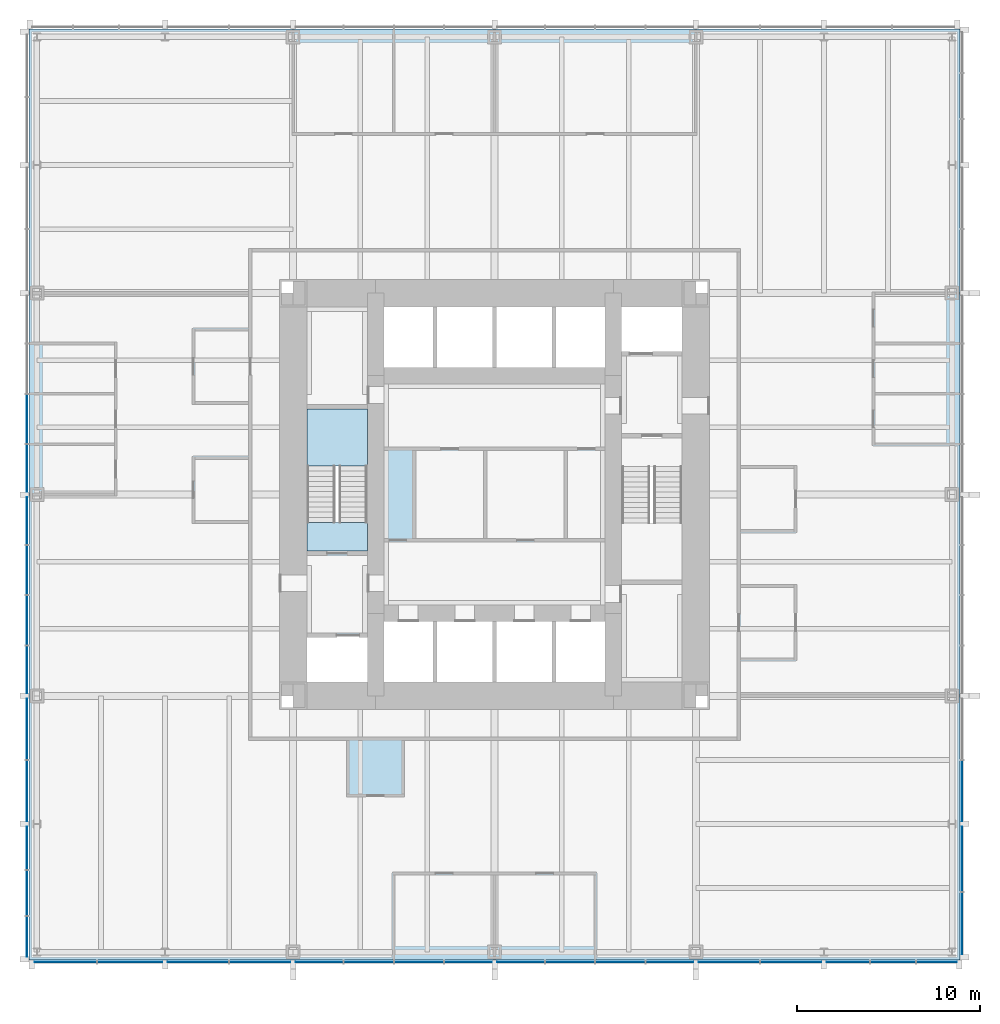
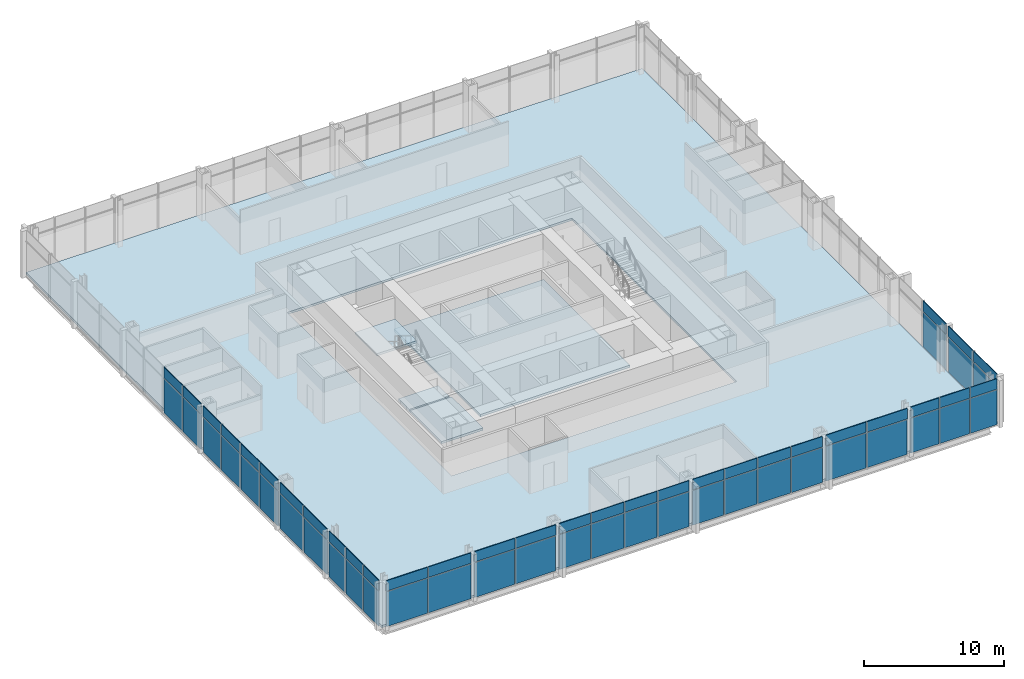
# One storey, part 7 of 12: 62 plates, 5 slabs, 4 elements without a shape of their own.
"""IFC4 building model written with IfcOpenShell, lengths in metres."""

import ifcopenshell
import ifcopenshell.guid

model = None  # the IFC model being written
_history = None  # IfcOwnerHistory: only IFC2X3 demands one
_inside = {}  # id of a spatial element -> (the spatial element, [elements in it])
_under = {}  # id of a project, library or spatial element -> (it, [spatial elements below it])
_declared = {}  # id of a project -> (the project, [libraries it declares])
_typed = {}  # id of a type object -> (the type object, [elements of that type])
_made_of = {}  # id of a material, layer set ... -> (it, [elements and type objects made of it])


def new_model(schema):
    """Start an empty IFC model of exactly this schema.

    Asked for "IFC4X3", IfcOpenShell would pick the latest addendum, in which some entities
    have other attributes; the version numbers below select the first issue.
    IFC2X3 requires an IfcOwnerHistory on every rooted entity: one is made here for all.
    """
    global model, _history
    if schema == "IFC4X3":
        model = ifcopenshell.file(schema_version=(4, 3, 0, 0))
    else:
        model = ifcopenshell.file(schema=schema)
    _inside.clear()
    _under.clear()
    _declared.clear()
    _typed.clear()
    _made_of.clear()
    _history = None
    if model.schema == "IFC2X3":
        org = make("IfcOrganization", Name="unknown")
        user = make(
            "IfcPersonAndOrganization",
            ThePerson=make("IfcPerson", FamilyName="unknown"),
            TheOrganization=org,
        )
        app = make(
            "IfcApplication",
            ApplicationDeveloper=org,
            Version="unknown",
            ApplicationFullName="unknown",
            ApplicationIdentifier="unknown",
        )
        _history = make(
            "IfcOwnerHistory",
            OwningUser=user,
            OwningApplication=app,
            ChangeAction="ADDED",
            CreationDate=0,
        )
    return model


def make(cls, **values):
    """One entity of the class cls with the attributes given. An attribute that is None is left unset."""
    return model.create_entity(
        cls, **{name: value for name, value in values.items() if value is not None}
    )


def rooted(cls, **values):
    """An entity with a GlobalId (a new one), such as an element, a storey or a relation."""
    return make(cls, GlobalId=ifcopenshell.guid.new(), OwnerHistory=_history, **values)


def si_unit(unit_type, name, prefix=None):
    """IfcSIUnit, for example si_unit("LENGTHUNIT", "METRE", prefix="MILLI")."""
    return make("IfcSIUnit", UnitType=unit_type, Prefix=prefix, Name=name)


def assignment(units):
    """IfcUnitAssignment: the units of a project."""
    return None if units is None else make("IfcUnitAssignment", Units=units)


def point(xyz):
    """IfcCartesianPoint."""
    return None if xyz is None else make("IfcCartesianPoint", Coordinates=xyz)


def direction(xyz):
    """IfcDirection."""
    return None if xyz is None else make("IfcDirection", DirectionRatios=xyz)


def frame(location, z_axis=None, x_axis=None):
    """IfcAxis2Placement3D, a coordinate frame: its origin and axes. An axis left out is left unset."""
    return make(
        "IfcAxis2Placement3D",
        Location=point(location),
        Axis=direction(z_axis),
        RefDirection=direction(x_axis),
    )


def frame_2d(location, x_axis=None):
    """IfcAxis2Placement2D, a coordinate frame in the plane: its origin and x axis."""
    return make(
        "IfcAxis2Placement2D", Location=point(location), RefDirection=direction(x_axis)
    )


def origin():
    """The frame at (0, 0, 0) with its axes left unset."""
    return frame((0.0, 0.0, 0.0))


def origin_2d():
    """The frame at (0, 0) in the plane with its x axis left unset."""
    return frame_2d((0.0, 0.0))


def place(relative_to, where):
    """IfcLocalPlacement: puts the frame where relative to a parent placement (None: the world)."""
    return make(
        "IfcLocalPlacement", PlacementRelTo=relative_to, RelativePlacement=where
    )


def context(
    kind, dimensions, precision=None, world=None, true_north=None, identifier=None
):
    """IfcGeometricRepresentationContext, for example the 3D "Model" context."""
    return make(
        "IfcGeometricRepresentationContext",
        ContextIdentifier=identifier,
        ContextType=kind,
        CoordinateSpaceDimension=dimensions,
        Precision=precision,
        WorldCoordinateSystem=world,
        TrueNorth=true_north,
    )


def subcontext(parent, identifier, kind, view, scale=None):
    """IfcGeometricRepresentationSubContext, for example "Body" below "Model"."""
    return make(
        "IfcGeometricRepresentationSubContext",
        ContextIdentifier=identifier,
        ContextType=kind,
        ParentContext=parent,
        TargetScale=scale,
        TargetView=view,
    )


def project(units=None, contexts=None):
    """IfcProject with its units and contexts."""
    return rooted(
        "IfcProject",
        Name="project",
        RepresentationContexts=contexts,
        UnitsInContext=assignment(units),
    )


def spatial(cls, under=None, at=None, **own):
    """A site, building, storey or space (cls), placed at a placement, below another one or the project."""
    s = rooted(cls, ObjectPlacement=at, **own)
    if under is not None:
        _under.setdefault(under.id(), (under, []))[1].append(s)
    return s


def polyline(points):
    """IfcPolyline through the points."""
    return make("IfcPolyline", Points=[point(p) for p in points])


def profile(cls, at=None, kind="AREA", **sizes):
    """A parametric profile (cls). Its sizes go by their IFC names, for example OverallWidth=200.0."""
    return make(cls, ProfileType=kind, Position=at, **sizes)


def rectangle(**sizes):
    """IfcRectangleProfileDef."""
    return profile("IfcRectangleProfileDef", **sizes)


def outline(outer, holes=None, kind="AREA"):
    """IfcArbitraryClosedProfileDef: a profile drawn as a closed curve; with holes, ...WithVoids."""
    if holes is None:
        return make("IfcArbitraryClosedProfileDef", ProfileType=kind, OuterCurve=outer)
    return make(
        "IfcArbitraryProfileDefWithVoids",
        ProfileType=kind,
        OuterCurve=outer,
        InnerCurves=holes,
    )


def extrude(swept, where, along, depth):
    """IfcExtrudedAreaSolid: the profile swept, set in the frame where, extruded along a direction by depth."""
    return make(
        "IfcExtrudedAreaSolid",
        SweptArea=swept,
        Position=where,
        ExtrudedDirection=direction(along),
        Depth=depth,
    )


def shape(context_of_items, identifier, shape_type, items):
    """IfcShapeRepresentation: the items that make up one representation, for example the "Body"."""
    return make(
        "IfcShapeRepresentation",
        ContextOfItems=context_of_items,
        RepresentationIdentifier=identifier,
        RepresentationType=shape_type,
        Items=items,
    )


def material(Name=None, Category=None):
    """IfcMaterial."""
    return make("IfcMaterial", Name=Name, Category=Category)


def layer(
    of_material, thickness, ventilated=None, Name=None, Category=None, Priority=None
):
    """IfcMaterialLayer: one layer of a wall or slab, of a material (None: an air gap)."""
    return make(
        "IfcMaterialLayer",
        Material=of_material,
        LayerThickness=thickness,
        IsVentilated=ventilated,
        Name=Name,
        Category=Category,
        Priority=Priority,
    )


def layer_set(layers, Name=None):
    """IfcMaterialLayerSet."""
    return make("IfcMaterialLayerSet", MaterialLayers=layers, LayerSetName=Name)


def made_of(thing, what):
    """Note that an element or type object is made of a material, layer set ...; save() writes the relation."""
    if what is not None:
        _made_of.setdefault(what.id(), (what, []))[1].append(thing)
    return thing


def type_object(cls, material=None, **own):
    """A type object (cls), such as IfcWallType, which elements share."""
    return made_of(rooted(cls, **own), material)


def element(
    cls,
    number,
    at=None,
    inside=None,
    cuts=None,
    type_object=None,
    material=None,
    context=None,
    identifier="Body",
    shape_type=None,
    held_by="IfcProductDefinitionShape",
    body=None,
    shapes=None,
    **own,
):
    """One element of the class cls, such as IfcWall. Its Tag is "e" and its number.

    at: its placement. inside: the storey or other place that contains it. cuts: it is an
    opening in that element (IfcRelVoidsElement). A single representation is given by context,
    identifier, shape_type and body (its items); several are given by shapes. held_by: the class
    of the entity that holds the representations. save() writes the other relations.
    """
    e = rooted(cls, Tag="e%d" % number, ObjectPlacement=at, **own)
    if body is not None:
        shapes = [shape(context, identifier, shape_type, body)]
    if shapes is not None:
        e.Representation = make(held_by, Representations=shapes)
    if inside is not None:
        _inside.setdefault(inside.id(), (inside, []))[1].append(e)
    if cuts is not None:
        rooted(
            "IfcRelVoidsElement", RelatingBuildingElement=cuts, RelatedOpeningElement=e
        )
    if type_object is not None:
        _typed.setdefault(type_object.id(), (type_object, []))[1].append(e)
    return made_of(e, material)


def aggregate(whole, parts):
    """IfcRelAggregates: a whole, such as a stair, and the parts it consists of."""
    return rooted("IfcRelAggregates", RelatingObject=whole, RelatedObjects=parts)


def save(model, path):
    """Write the relations noted so far, then the file.

    IfcRelAggregates (storeys below a building ...), IfcRelContainedInSpatialStructure (elements
    in a storey), IfcRelDefinesByType, IfcRelAssociatesMaterial and IfcRelDeclares: one each for
    every whole, place, type object, material and project.
    """
    for whole, parts in _under.values():
        aggregate(whole, parts)
    for where, things in _inside.values():
        rooted(
            "IfcRelContainedInSpatialStructure",
            RelatedElements=things,
            RelatingStructure=where,
        )
    for kind, things in _typed.values():
        rooted("IfcRelDefinesByType", RelatedObjects=things, RelatingType=kind)
    for what, things in _made_of.values():
        rooted("IfcRelAssociatesMaterial", RelatedObjects=things, RelatingMaterial=what)
    for by, libraries in _declared.values():
        rooted("IfcRelDeclares", RelatingContext=by, RelatedDefinitions=libraries)
    model.write(path)


model = new_model("IFC4")

# Units and contexts
model_context = context("Model", 3, precision=1e-05, world=origin(), true_north=direction((0.0, 1.0)))
body_context = subcontext(model_context, "Body", "Model", "MODEL_VIEW")
ifc_project = project(units=[si_unit("LENGTHUNIT", "METRE"), si_unit("AREAUNIT", "SQUARE_METRE"), si_unit("VOLUMEUNIT", "CUBIC_METRE"), si_unit("PLANEANGLEUNIT", "RADIAN"), si_unit("MASSUNIT", "GRAM", prefix="KILO")], contexts=[model_context])

# Site, building, storey
site_placement = place(None, origin())
site = spatial("IfcSite", under=ifc_project, at=site_placement, CompositionType="ELEMENT")
building_placement = place(site_placement, origin())
building = spatial("IfcBuilding", under=site, at=building_placement, Name="Trevanion Tower", CompositionType="ELEMENT")
storey_placement = place(building_placement, frame((0.0, 0.0, 61.10009765625)))
storey = spatial("IfcBuildingStorey", under=building, at=storey_placement, Name="L14", CompositionType="ELEMENT", Elevation=61.10009765625)

# Curtain wall, plates
ifc_material_1 = material(Name="Aluminium and glass", Category="aluminium")
curtain_wall_type = type_object("IfcCurtainWallType", Name="CW1 curtain wall", PredefinedType="USERDEFINED", material=ifc_material_1)
curtain_wall_1_placement = place(storey_placement, origin())
curtain_wall_1 = element("IfcCurtainWall", 1, at=curtain_wall_1_placement, inside=storey, type_object=curtain_wall_type, Name="CW1 L14 0", ObjectType="UNITISED CURTAIN WALL", PredefinedType="USERDEFINED")
ifc_material_2 = material(Name="Aluminium spandrel panel", Category="aluminium")
ifc_layer_1 = layer(ifc_material_2, 0.06005859375)
ifc_layer_set_1 = layer_set([ifc_layer_1], Name="CW1 spandrel panel")
plate_type_1 = type_object("IfcPlateType", Name="CW1 spandrel panel", PredefinedType="CURTAIN_PANEL", material=ifc_layer_set_1)
plate_1_placement = place(storey_placement, frame((25.550048828125, -23.433837890625, 2.997314453125), z_axis=(0.0, 0.0, 1.0), x_axis=(0.0, 1.0, 0.0)))
plate_1 = element("IfcPlate", 2, at=plate_1_placement, type_object=plate_type_1, Name="CW1 panel 1.2", PredefinedType="CURTAIN_PANEL", context=body_context, shape_type="SweptSolid", body=[
    extrude(rectangle(XDim=3.37255859375, YDim=0.06005859375, at=origin_2d()), origin(), (0.0, 0.0, 1.0), 0.91259765625),
])
plate_2_placement = place(storey_placement, frame((25.550048828125, -19.911376953125, 2.997314453125), z_axis=(0.0, 0.0, 1.0), x_axis=(0.0, 1.0, 0.0)))
plate_2 = element("IfcPlate", 3, at=plate_2_placement, type_object=plate_type_1, Name="CW1 panel 2.2", PredefinedType="CURTAIN_PANEL", context=body_context, shape_type="SweptSolid", body=[
    extrude(rectangle(XDim=3.5224609375, YDim=0.06005859375, at=origin_2d()), origin(), (0.0, 0.0, 1.0), 0.91259765625),
])
plate_3_placement = place(storey_placement, frame((25.550048828125, -16.19384765625, 2.997314453125), z_axis=(0.0, 0.0, 1.0), x_axis=(0.0, 1.0, 0.0)))
plate_3 = element("IfcPlate", 4, at=plate_3_placement, type_object=plate_type_1, Name="CW1 panel 3.2", PredefinedType="CURTAIN_PANEL", context=body_context, shape_type="SweptSolid", body=[
    extrude(rectangle(XDim=3.3125, YDim=0.06005859375, at=origin_2d()), origin(), (0.0, 0.0, 1.0), 0.91259765625),
])

curtain_wall_2_placement = place(storey_placement, origin())
curtain_wall_2 = element("IfcCurtainWall", 5, at=curtain_wall_2_placement, inside=storey, type_object=curtain_wall_type, Name="CW1 L14 2", ObjectType="UNITISED CURTAIN WALL", PredefinedType="USERDEFINED")
plate_4_placement = place(storey_placement, frame((-25.550048828125, 4.125, 2.997314453125), z_axis=(0.0, 0.0, 1.0), x_axis=(0.0, -1.0, 0.0)))
plate_4 = element("IfcPlate", 6, at=plate_4_placement, type_object=plate_type_1, Name="CW1 panel 7.2", PredefinedType="CURTAIN_PANEL", context=body_context, shape_type="SweptSolid", body=[
    extrude(rectangle(XDim=2.675048828125, YDim=0.06005859375, at=origin_2d()), origin(), (0.0, 0.0, 1.0), 0.91259765625),
])
plate_5_placement = place(storey_placement, frame((-25.550048828125, 1.43115234375, 2.997314453125), z_axis=(0.0, 0.0, 1.0), x_axis=(0.0, -1.0, 0.0)))
plate_5 = element("IfcPlate", 7, at=plate_5_placement, type_object=plate_type_1, Name="CW1 panel 8.2", PredefinedType="CURTAIN_PANEL", context=body_context, shape_type="SweptSolid", body=[
    extrude(rectangle(XDim=2.5625, YDim=0.06005859375, at=origin_2d()), origin(), (0.0, 0.0, 1.0), 0.91259765625),
])
plate_6_placement = place(storey_placement, frame((-25.550048828125, -1.43115234375, 2.997314453125), z_axis=(0.0, 0.0, 1.0), x_axis=(0.0, -1.0, 0.0)))
plate_6 = element("IfcPlate", 8, at=plate_6_placement, type_object=plate_type_1, Name="CW1 panel 9.2", PredefinedType="CURTAIN_PANEL", context=body_context, shape_type="SweptSolid", body=[
    extrude(rectangle(XDim=2.5625, YDim=0.06005859375, at=origin_2d()), origin(), (0.0, 0.0, 1.0), 0.91259765625),
])
plate_7_placement = place(storey_placement, frame((-25.550048828125, -4.125, 2.997314453125), z_axis=(0.0, 0.0, 1.0), x_axis=(0.0, -1.0, 0.0)))
plate_7 = element("IfcPlate", 9, at=plate_7_placement, type_object=plate_type_1, Name="CW1 panel 10.2", PredefinedType="CURTAIN_PANEL", context=body_context, shape_type="SweptSolid", body=[
    extrude(rectangle(XDim=2.675048828125, YDim=0.06005859375, at=origin_2d()), origin(), (0.0, 0.0, 1.0), 0.91259765625),
])
plate_8_placement = place(storey_placement, frame((-25.550048828125, -6.875, 2.997314453125), z_axis=(0.0, 0.0, 1.0), x_axis=(0.0, -1.0, 0.0)))
plate_8 = element("IfcPlate", 10, at=plate_8_placement, type_object=plate_type_1, Name="CW1 panel 11.2", PredefinedType="CURTAIN_PANEL", context=body_context, shape_type="SweptSolid", body=[
    extrude(rectangle(XDim=2.675048828125, YDim=0.06005859375, at=origin_2d()), origin(), (0.0, 0.0, 1.0), 0.91259765625),
])
plate_9_placement = place(storey_placement, frame((-25.550048828125, -9.56884765625, 2.997314453125), z_axis=(0.0, 0.0, 1.0), x_axis=(0.0, -1.0, 0.0)))
plate_9 = element("IfcPlate", 11, at=plate_9_placement, type_object=plate_type_1, Name="CW1 panel 12.2", PredefinedType="CURTAIN_PANEL", context=body_context, shape_type="SweptSolid", body=[
    extrude(rectangle(XDim=2.5625, YDim=0.06005859375, at=origin_2d()), origin(), (0.0, 0.0, 1.0), 0.91259765625),
])
plate_10_placement = place(storey_placement, frame((-25.550048828125, -12.80615234375, 2.997314453125), z_axis=(0.0, 0.0, 1.0), x_axis=(0.0, -1.0, 0.0)))
plate_10 = element("IfcPlate", 12, at=plate_10_placement, type_object=plate_type_1, Name="CW1 panel 13.2", PredefinedType="CURTAIN_PANEL", context=body_context, shape_type="SweptSolid", body=[
    extrude(rectangle(XDim=3.3125, YDim=0.06005859375, at=origin_2d()), origin(), (0.0, 0.0, 1.0), 0.91259765625),
])
plate_11_placement = place(storey_placement, frame((-25.550048828125, -16.19384765625, 2.997314453125), z_axis=(0.0, 0.0, 1.0), x_axis=(0.0, -1.0, 0.0)))
plate_11 = element("IfcPlate", 13, at=plate_11_placement, type_object=plate_type_1, Name="CW1 panel 14.2", PredefinedType="CURTAIN_PANEL", context=body_context, shape_type="SweptSolid", body=[
    extrude(rectangle(XDim=3.3125, YDim=0.06005859375, at=origin_2d()), origin(), (0.0, 0.0, 1.0), 0.91259765625),
])
plate_12_placement = place(storey_placement, frame((-25.550048828125, -19.314697265625, 2.997314453125), z_axis=(0.0, 0.0, 1.0), x_axis=(0.0, -1.0, 0.0)))
plate_12 = element("IfcPlate", 14, at=plate_12_placement, type_object=plate_type_1, Name="CW1 panel 15.2", PredefinedType="CURTAIN_PANEL", context=body_context, shape_type="SweptSolid", body=[
    extrude(rectangle(XDim=2.3291015625, YDim=0.06005859375, at=origin_2d()), origin(), (0.0, 0.0, 1.0), 0.91259765625),
])
plate_13_placement = place(storey_placement, frame((-25.550048828125, -21.77490234375, 2.997314453125), z_axis=(0.0, 0.0, 1.0), x_axis=(0.0, -1.0, 0.0)))
plate_13 = element("IfcPlate", 15, at=plate_13_placement, type_object=plate_type_1, Name="CW1 panel 16.2", PredefinedType="CURTAIN_PANEL", context=body_context, shape_type="SweptSolid", body=[
    extrude(rectangle(XDim=2.441650390625, YDim=0.06005859375, at=origin_2d()), origin(), (0.0, 0.0, 1.0), 0.91259765625),
])
plate_14_placement = place(storey_placement, frame((-25.550048828125, -24.160400390625, 2.997314453125), z_axis=(0.0, 0.0, 1.0), x_axis=(0.0, -1.0, 0.0)))
plate_14 = element("IfcPlate", 16, at=plate_14_placement, type_object=plate_type_1, Name="CW1 panel 17.2", PredefinedType="CURTAIN_PANEL", context=body_context, shape_type="SweptSolid", body=[
    extrude(rectangle(XDim=2.17919921875, YDim=0.06005859375, at=origin_2d()), origin(), (0.0, 0.0, 1.0), 0.91259765625),
])

curtain_wall_3_placement = place(storey_placement, origin())
curtain_wall_3 = element("IfcCurtainWall", 17, at=curtain_wall_3_placement, inside=storey, type_object=curtain_wall_type, Name="CW1 L14 3", ObjectType="UNITISED CURTAIN WALL", PredefinedType="USERDEFINED")
plate_15_placement = place(storey_placement, frame((-23.433837890625, -25.550048828125, 2.997314453125), z_axis=(0.0, 0.0, 1.0), x_axis=(1.0, 0.0, 0.0)))
plate_15 = element("IfcPlate", 18, at=plate_15_placement, type_object=plate_type_1, Name="CW1 panel 1.2", PredefinedType="CURTAIN_PANEL", context=body_context, shape_type="SweptSolid", body=[
    extrude(rectangle(XDim=3.37255859375, YDim=0.06005859375, at=origin_2d()), origin(), (0.0, 0.0, 1.0), 0.91259765625),
])
plate_16_placement = place(storey_placement, frame((-19.911376953125, -25.550048828125, 2.997314453125), z_axis=(0.0, 0.0, 1.0), x_axis=(1.0, 0.0, 0.0)))
plate_16 = element("IfcPlate", 19, at=plate_16_placement, type_object=plate_type_1, Name="CW1 panel 2.2", PredefinedType="CURTAIN_PANEL", context=body_context, shape_type="SweptSolid", body=[
    extrude(rectangle(XDim=3.5224609375, YDim=0.06005859375, at=origin_2d()), origin(), (0.0, 0.0, 1.0), 0.91259765625),
])
plate_17_placement = place(storey_placement, frame((-16.19384765625, -25.550048828125, 2.997314453125), z_axis=(0.0, 0.0, 1.0), x_axis=(1.0, 0.0, 0.0)))
plate_17 = element("IfcPlate", 20, at=plate_17_placement, type_object=plate_type_1, Name="CW1 panel 3.2", PredefinedType="CURTAIN_PANEL", context=body_context, shape_type="SweptSolid", body=[
    extrude(rectangle(XDim=3.3125, YDim=0.06005859375, at=origin_2d()), origin(), (0.0, 0.0, 1.0), 0.91259765625),
])
plate_18_placement = place(storey_placement, frame((-12.806396484375, -25.550048828125, 2.997314453125), z_axis=(0.0, 0.0, 1.0), x_axis=(1.0, 0.0, 0.0)))
plate_18 = element("IfcPlate", 21, at=plate_18_placement, type_object=plate_type_1, Name="CW1 panel 4.2", PredefinedType="CURTAIN_PANEL", context=body_context, shape_type="SweptSolid", body=[
    extrude(rectangle(XDim=3.3125, YDim=0.06005859375, at=origin_2d()), origin(), (0.0, 0.0, 1.0), 0.91259765625),
])
plate_19_placement = place(storey_placement, frame((-9.56884765625, -25.550048828125, 2.997314453125), z_axis=(0.0, 0.0, 1.0), x_axis=(1.0, 0.0, 0.0)))
plate_19 = element("IfcPlate", 22, at=plate_19_placement, type_object=plate_type_1, Name="CW1 panel 5.2", PredefinedType="CURTAIN_PANEL", context=body_context, shape_type="SweptSolid", body=[
    extrude(rectangle(XDim=2.5625, YDim=0.06005859375, at=origin_2d()), origin(), (0.0, 0.0, 1.0), 0.91259765625),
])
plate_20_placement = place(storey_placement, frame((-6.875, -25.550048828125, 2.997314453125), z_axis=(0.0, 0.0, 1.0), x_axis=(1.0, 0.0, 0.0)))
plate_20 = element("IfcPlate", 23, at=plate_20_placement, type_object=plate_type_1, Name="CW1 panel 6.2", PredefinedType="CURTAIN_PANEL", context=body_context, shape_type="SweptSolid", body=[
    extrude(rectangle(XDim=2.675048828125, YDim=0.06005859375, at=origin_2d()), origin(), (0.0, 0.0, 1.0), 0.91259765625),
])
plate_21_placement = place(storey_placement, frame((-4.125, -25.550048828125, 2.997314453125), z_axis=(0.0, 0.0, 1.0), x_axis=(1.0, 0.0, 0.0)))
plate_21 = element("IfcPlate", 24, at=plate_21_placement, type_object=plate_type_1, Name="CW1 panel 7.2", PredefinedType="CURTAIN_PANEL", context=body_context, shape_type="SweptSolid", body=[
    extrude(rectangle(XDim=2.675048828125, YDim=0.06005859375, at=origin_2d()), origin(), (0.0, 0.0, 1.0), 0.91259765625),
])
plate_22_placement = place(storey_placement, frame((-1.43115234375, -25.550048828125, 2.997314453125), z_axis=(0.0, 0.0, 1.0), x_axis=(1.0, 0.0, 0.0)))
plate_22 = element("IfcPlate", 25, at=plate_22_placement, type_object=plate_type_1, Name="CW1 panel 8.2", PredefinedType="CURTAIN_PANEL", context=body_context, shape_type="SweptSolid", body=[
    extrude(rectangle(XDim=2.5625, YDim=0.06005859375, at=origin_2d()), origin(), (0.0, 0.0, 1.0), 0.91259765625),
])
plate_23_placement = place(storey_placement, frame((1.43115234375, -25.550048828125, 2.997314453125), z_axis=(0.0, 0.0, 1.0), x_axis=(1.0, 0.0, 0.0)))
plate_23 = element("IfcPlate", 26, at=plate_23_placement, type_object=plate_type_1, Name="CW1 panel 9.2", PredefinedType="CURTAIN_PANEL", context=body_context, shape_type="SweptSolid", body=[
    extrude(rectangle(XDim=2.5625, YDim=0.06005859375, at=origin_2d()), origin(), (0.0, 0.0, 1.0), 0.91259765625),
])
plate_24_placement = place(storey_placement, frame((4.125, -25.550048828125, 2.997314453125), z_axis=(0.0, 0.0, 1.0), x_axis=(1.0, 0.0, 0.0)))
plate_24 = element("IfcPlate", 27, at=plate_24_placement, type_object=plate_type_1, Name="CW1 panel 10.2", PredefinedType="CURTAIN_PANEL", context=body_context, shape_type="SweptSolid", body=[
    extrude(rectangle(XDim=2.675048828125, YDim=0.06005859375, at=origin_2d()), origin(), (0.0, 0.0, 1.0), 0.91259765625),
])
plate_25_placement = place(storey_placement, frame((6.875, -25.550048828125, 2.997314453125), z_axis=(0.0, 0.0, 1.0), x_axis=(1.0, 0.0, 0.0)))
plate_25 = element("IfcPlate", 28, at=plate_25_placement, type_object=plate_type_1, Name="CW1 panel 11.2", PredefinedType="CURTAIN_PANEL", context=body_context, shape_type="SweptSolid", body=[
    extrude(rectangle(XDim=2.675048828125, YDim=0.06005859375, at=origin_2d()), origin(), (0.0, 0.0, 1.0), 0.91259765625),
])
plate_26_placement = place(storey_placement, frame((9.56884765625, -25.550048828125, 2.997314453125), z_axis=(0.0, 0.0, 1.0), x_axis=(1.0, 0.0, 0.0)))
plate_26 = element("IfcPlate", 29, at=plate_26_placement, type_object=plate_type_1, Name="CW1 panel 12.2", PredefinedType="CURTAIN_PANEL", context=body_context, shape_type="SweptSolid", body=[
    extrude(rectangle(XDim=2.5625, YDim=0.06005859375, at=origin_2d()), origin(), (0.0, 0.0, 1.0), 0.91259765625),
])
plate_27_placement = place(storey_placement, frame((12.80615234375, -25.550048828125, 2.997314453125), z_axis=(0.0, 0.0, 1.0), x_axis=(1.0, 0.0, 0.0)))
plate_27 = element("IfcPlate", 30, at=plate_27_placement, type_object=plate_type_1, Name="CW1 panel 13.2", PredefinedType="CURTAIN_PANEL", context=body_context, shape_type="SweptSolid", body=[
    extrude(rectangle(XDim=3.3125, YDim=0.06005859375, at=origin_2d()), origin(), (0.0, 0.0, 1.0), 0.91259765625),
])
plate_28_placement = place(storey_placement, frame((16.19384765625, -25.550048828125, 2.997314453125), z_axis=(0.0, 0.0, 1.0), x_axis=(1.0, 0.0, 0.0)))
plate_28 = element("IfcPlate", 31, at=plate_28_placement, type_object=plate_type_1, Name="CW1 panel 14.2", PredefinedType="CURTAIN_PANEL", context=body_context, shape_type="SweptSolid", body=[
    extrude(rectangle(XDim=3.3125, YDim=0.06005859375, at=origin_2d()), origin(), (0.0, 0.0, 1.0), 0.91259765625),
])
plate_29_placement = place(storey_placement, frame((19.314697265625, -25.550048828125, 2.997314453125), z_axis=(0.0, 0.0, 1.0), x_axis=(1.0, 0.0, 0.0)))
plate_29 = element("IfcPlate", 32, at=plate_29_placement, type_object=plate_type_1, Name="CW1 panel 15.2", PredefinedType="CURTAIN_PANEL", context=body_context, shape_type="SweptSolid", body=[
    extrude(rectangle(XDim=2.3291015625, YDim=0.06005859375, at=origin_2d()), origin(), (0.0, 0.0, 1.0), 0.91259765625),
])
plate_30_placement = place(storey_placement, frame((21.77490234375, -25.550048828125, 2.997314453125), z_axis=(0.0, 0.0, 1.0), x_axis=(1.0, 0.0, 0.0)))
plate_30 = element("IfcPlate", 33, at=plate_30_placement, type_object=plate_type_1, Name="CW1 panel 16.2", PredefinedType="CURTAIN_PANEL", context=body_context, shape_type="SweptSolid", body=[
    extrude(rectangle(XDim=2.441650390625, YDim=0.06005859375, at=origin_2d()), origin(), (0.0, 0.0, 1.0), 0.91259765625),
])
plate_31_placement = place(storey_placement, frame((24.160400390625, -25.550048828125, 2.997314453125), z_axis=(0.0, 0.0, 1.0), x_axis=(1.0, 0.0, 0.0)))
plate_31 = element("IfcPlate", 34, at=plate_31_placement, type_object=plate_type_1, Name="CW1 panel 17.2", PredefinedType="CURTAIN_PANEL", context=body_context, shape_type="SweptSolid", body=[
    extrude(rectangle(XDim=2.17919921875, YDim=0.06005859375, at=origin_2d()), origin(), (0.0, 0.0, 1.0), 0.91259765625),
])

# Plate
ifc_material_3 = material(Name="Insulating glass unit", Category="glass")
ifc_layer_2 = layer(ifc_material_3, 0.028076171875)
ifc_layer_set_2 = layer_set([ifc_layer_2], Name="CW1 vision panel")
plate_type_2 = type_object("IfcPlateType", Name="CW1 vision panel", PredefinedType="CURTAIN_PANEL", material=ifc_layer_set_2)
plate_32_placement = place(storey_placement, frame((25.550048828125, -23.433837890625, -0.114990234375), z_axis=(0.0, 0.0, 1.0), x_axis=(0.0, 1.0, 0.0)))
plate_32 = element("IfcPlate", 35, at=plate_32_placement, type_object=plate_type_2, Name="CW1 panel 1.1", PredefinedType="CURTAIN_PANEL", context=body_context, shape_type="SweptSolid", body=[
    extrude(rectangle(XDim=3.37255859375, YDim=0.028076171875, at=origin_2d()), origin(), (0.0, 0.0, 1.0), 3.03759765625),
])

plate_33_placement = place(storey_placement, frame((25.550048828125, -19.911376953125, -0.114990234375), z_axis=(0.0, 0.0, 1.0), x_axis=(0.0, 1.0, 0.0)))
plate_33 = element("IfcPlate", 36, at=plate_33_placement, type_object=plate_type_2, Name="CW1 panel 2.1", PredefinedType="CURTAIN_PANEL", context=body_context, shape_type="SweptSolid", body=[
    extrude(rectangle(XDim=3.5224609375, YDim=0.028076171875, at=origin_2d()), origin(), (0.0, 0.0, 1.0), 3.03759765625),
])

plate_34_placement = place(storey_placement, frame((25.550048828125, -16.19384765625, -0.114990234375), z_axis=(0.0, 0.0, 1.0), x_axis=(0.0, 1.0, 0.0)))
plate_34 = element("IfcPlate", 37, at=plate_34_placement, type_object=plate_type_2, Name="CW1 panel 3.1", PredefinedType="CURTAIN_PANEL", context=body_context, shape_type="SweptSolid", body=[
    extrude(rectangle(XDim=3.3125, YDim=0.028076171875, at=origin_2d()), origin(), (0.0, 0.0, 1.0), 3.03759765625),
])

aggregate(curtain_wall_1, [plate_32, plate_1, plate_33, plate_2, plate_34, plate_3])

plate_35_placement = place(storey_placement, frame((-25.550048828125, 4.125, -0.114990234375), z_axis=(0.0, 0.0, 1.0), x_axis=(0.0, -1.0, 0.0)))
plate_35 = element("IfcPlate", 38, at=plate_35_placement, type_object=plate_type_2, Name="CW1 panel 7.1", PredefinedType="CURTAIN_PANEL", context=body_context, shape_type="SweptSolid", body=[
    extrude(rectangle(XDim=2.675048828125, YDim=0.028076171875, at=origin_2d()), origin(), (0.0, 0.0, 1.0), 3.03759765625),
])

plate_36_placement = place(storey_placement, frame((-25.550048828125, 1.43115234375, -0.114990234375), z_axis=(0.0, 0.0, 1.0), x_axis=(0.0, -1.0, 0.0)))
plate_36 = element("IfcPlate", 39, at=plate_36_placement, type_object=plate_type_2, Name="CW1 panel 8.1", PredefinedType="CURTAIN_PANEL", context=body_context, shape_type="SweptSolid", body=[
    extrude(rectangle(XDim=2.5625, YDim=0.028076171875, at=origin_2d()), origin(), (0.0, 0.0, 1.0), 3.03759765625),
])

plate_37_placement = place(storey_placement, frame((-25.550048828125, -1.43115234375, -0.114990234375), z_axis=(0.0, 0.0, 1.0), x_axis=(0.0, -1.0, 0.0)))
plate_37 = element("IfcPlate", 40, at=plate_37_placement, type_object=plate_type_2, Name="CW1 panel 9.1", PredefinedType="CURTAIN_PANEL", context=body_context, shape_type="SweptSolid", body=[
    extrude(rectangle(XDim=2.5625, YDim=0.028076171875, at=origin_2d()), origin(), (0.0, 0.0, 1.0), 3.03759765625),
])

plate_38_placement = place(storey_placement, frame((-25.550048828125, -4.125, -0.114990234375), z_axis=(0.0, 0.0, 1.0), x_axis=(0.0, -1.0, 0.0)))
plate_38 = element("IfcPlate", 41, at=plate_38_placement, type_object=plate_type_2, Name="CW1 panel 10.1", PredefinedType="CURTAIN_PANEL", context=body_context, shape_type="SweptSolid", body=[
    extrude(rectangle(XDim=2.675048828125, YDim=0.028076171875, at=origin_2d()), origin(), (0.0, 0.0, 1.0), 3.03759765625),
])

plate_39_placement = place(storey_placement, frame((-25.550048828125, -6.875, -0.114990234375), z_axis=(0.0, 0.0, 1.0), x_axis=(0.0, -1.0, 0.0)))
plate_39 = element("IfcPlate", 42, at=plate_39_placement, type_object=plate_type_2, Name="CW1 panel 11.1", PredefinedType="CURTAIN_PANEL", context=body_context, shape_type="SweptSolid", body=[
    extrude(rectangle(XDim=2.675048828125, YDim=0.028076171875, at=origin_2d()), origin(), (0.0, 0.0, 1.0), 3.03759765625),
])

plate_40_placement = place(storey_placement, frame((-25.550048828125, -9.56884765625, -0.114990234375), z_axis=(0.0, 0.0, 1.0), x_axis=(0.0, -1.0, 0.0)))
plate_40 = element("IfcPlate", 43, at=plate_40_placement, type_object=plate_type_2, Name="CW1 panel 12.1", PredefinedType="CURTAIN_PANEL", context=body_context, shape_type="SweptSolid", body=[
    extrude(rectangle(XDim=2.5625, YDim=0.028076171875, at=origin_2d()), origin(), (0.0, 0.0, 1.0), 3.03759765625),
])

plate_41_placement = place(storey_placement, frame((-25.550048828125, -12.80615234375, -0.114990234375), z_axis=(0.0, 0.0, 1.0), x_axis=(0.0, -1.0, 0.0)))
plate_41 = element("IfcPlate", 44, at=plate_41_placement, type_object=plate_type_2, Name="CW1 panel 13.1", PredefinedType="CURTAIN_PANEL", context=body_context, shape_type="SweptSolid", body=[
    extrude(rectangle(XDim=3.3125, YDim=0.028076171875, at=origin_2d()), origin(), (0.0, 0.0, 1.0), 3.03759765625),
])

plate_42_placement = place(storey_placement, frame((-25.550048828125, -16.19384765625, -0.114990234375), z_axis=(0.0, 0.0, 1.0), x_axis=(0.0, -1.0, 0.0)))
plate_42 = element("IfcPlate", 45, at=plate_42_placement, type_object=plate_type_2, Name="CW1 panel 14.1", PredefinedType="CURTAIN_PANEL", context=body_context, shape_type="SweptSolid", body=[
    extrude(rectangle(XDim=3.3125, YDim=0.028076171875, at=origin_2d()), origin(), (0.0, 0.0, 1.0), 3.03759765625),
])

plate_43_placement = place(storey_placement, frame((-25.550048828125, -19.314697265625, -0.114990234375), z_axis=(0.0, 0.0, 1.0), x_axis=(0.0, -1.0, 0.0)))
plate_43 = element("IfcPlate", 46, at=plate_43_placement, type_object=plate_type_2, Name="CW1 panel 15.1", PredefinedType="CURTAIN_PANEL", context=body_context, shape_type="SweptSolid", body=[
    extrude(rectangle(XDim=2.3291015625, YDim=0.028076171875, at=origin_2d()), origin(), (0.0, 0.0, 1.0), 3.03759765625),
])

plate_44_placement = place(storey_placement, frame((-25.550048828125, -21.77490234375, -0.114990234375), z_axis=(0.0, 0.0, 1.0), x_axis=(0.0, -1.0, 0.0)))
plate_44 = element("IfcPlate", 47, at=plate_44_placement, type_object=plate_type_2, Name="CW1 panel 16.1", PredefinedType="CURTAIN_PANEL", context=body_context, shape_type="SweptSolid", body=[
    extrude(rectangle(XDim=2.441650390625, YDim=0.028076171875, at=origin_2d()), origin(), (0.0, 0.0, 1.0), 3.03759765625),
])

plate_45_placement = place(storey_placement, frame((-25.550048828125, -24.160400390625, -0.114990234375), z_axis=(0.0, 0.0, 1.0), x_axis=(0.0, -1.0, 0.0)))
plate_45 = element("IfcPlate", 48, at=plate_45_placement, type_object=plate_type_2, Name="CW1 panel 17.1", PredefinedType="CURTAIN_PANEL", context=body_context, shape_type="SweptSolid", body=[
    extrude(rectangle(XDim=2.17919921875, YDim=0.028076171875, at=origin_2d()), origin(), (0.0, 0.0, 1.0), 3.03759765625),
])

aggregate(curtain_wall_2, [plate_35, plate_4, plate_36, plate_5, plate_37, plate_6, plate_38, plate_7, plate_39, plate_8, plate_40, plate_9, plate_41, plate_10, plate_42, plate_11, plate_43, plate_12, plate_44, plate_13, plate_45, plate_14])

plate_46_placement = place(storey_placement, frame((-23.433837890625, -25.550048828125, -0.114990234375), z_axis=(0.0, 0.0, 1.0), x_axis=(1.0, 0.0, 0.0)))
plate_46 = element("IfcPlate", 49, at=plate_46_placement, type_object=plate_type_2, Name="CW1 panel 1.1", PredefinedType="CURTAIN_PANEL", context=body_context, shape_type="SweptSolid", body=[
    extrude(rectangle(XDim=3.37255859375, YDim=0.028076171875, at=origin_2d()), origin(), (0.0, 0.0, 1.0), 3.03759765625),
])

plate_47_placement = place(storey_placement, frame((-19.911376953125, -25.550048828125, -0.114990234375), z_axis=(0.0, 0.0, 1.0), x_axis=(1.0, 0.0, 0.0)))
plate_47 = element("IfcPlate", 50, at=plate_47_placement, type_object=plate_type_2, Name="CW1 panel 2.1", PredefinedType="CURTAIN_PANEL", context=body_context, shape_type="SweptSolid", body=[
    extrude(rectangle(XDim=3.5224609375, YDim=0.028076171875, at=origin_2d()), origin(), (0.0, 0.0, 1.0), 3.03759765625),
])

plate_48_placement = place(storey_placement, frame((-16.19384765625, -25.550048828125, -0.114990234375), z_axis=(0.0, 0.0, 1.0), x_axis=(1.0, 0.0, 0.0)))
plate_48 = element("IfcPlate", 51, at=plate_48_placement, type_object=plate_type_2, Name="CW1 panel 3.1", PredefinedType="CURTAIN_PANEL", context=body_context, shape_type="SweptSolid", body=[
    extrude(rectangle(XDim=3.3125, YDim=0.028076171875, at=origin_2d()), origin(), (0.0, 0.0, 1.0), 3.03759765625),
])

plate_49_placement = place(storey_placement, frame((-12.806396484375, -25.550048828125, -0.114990234375), z_axis=(0.0, 0.0, 1.0), x_axis=(1.0, 0.0, 0.0)))
plate_49 = element("IfcPlate", 52, at=plate_49_placement, type_object=plate_type_2, Name="CW1 panel 4.1", PredefinedType="CURTAIN_PANEL", context=body_context, shape_type="SweptSolid", body=[
    extrude(rectangle(XDim=3.3125, YDim=0.028076171875, at=origin_2d()), origin(), (0.0, 0.0, 1.0), 3.03759765625),
])

plate_50_placement = place(storey_placement, frame((-9.56884765625, -25.550048828125, -0.114990234375), z_axis=(0.0, 0.0, 1.0), x_axis=(1.0, 0.0, 0.0)))
plate_50 = element("IfcPlate", 53, at=plate_50_placement, type_object=plate_type_2, Name="CW1 panel 5.1", PredefinedType="CURTAIN_PANEL", context=body_context, shape_type="SweptSolid", body=[
    extrude(rectangle(XDim=2.5625, YDim=0.028076171875, at=origin_2d()), origin(), (0.0, 0.0, 1.0), 3.03759765625),
])

plate_51_placement = place(storey_placement, frame((-6.875, -25.550048828125, -0.114990234375), z_axis=(0.0, 0.0, 1.0), x_axis=(1.0, 0.0, 0.0)))
plate_51 = element("IfcPlate", 54, at=plate_51_placement, type_object=plate_type_2, Name="CW1 panel 6.1", PredefinedType="CURTAIN_PANEL", context=body_context, shape_type="SweptSolid", body=[
    extrude(rectangle(XDim=2.675048828125, YDim=0.028076171875, at=origin_2d()), origin(), (0.0, 0.0, 1.0), 3.03759765625),
])

plate_52_placement = place(storey_placement, frame((-4.125, -25.550048828125, -0.114990234375), z_axis=(0.0, 0.0, 1.0), x_axis=(1.0, 0.0, 0.0)))
plate_52 = element("IfcPlate", 55, at=plate_52_placement, type_object=plate_type_2, Name="CW1 panel 7.1", PredefinedType="CURTAIN_PANEL", context=body_context, shape_type="SweptSolid", body=[
    extrude(rectangle(XDim=2.675048828125, YDim=0.028076171875, at=origin_2d()), origin(), (0.0, 0.0, 1.0), 3.03759765625),
])

plate_53_placement = place(storey_placement, frame((-1.43115234375, -25.550048828125, -0.114990234375), z_axis=(0.0, 0.0, 1.0), x_axis=(1.0, 0.0, 0.0)))
plate_53 = element("IfcPlate", 56, at=plate_53_placement, type_object=plate_type_2, Name="CW1 panel 8.1", PredefinedType="CURTAIN_PANEL", context=body_context, shape_type="SweptSolid", body=[
    extrude(rectangle(XDim=2.5625, YDim=0.028076171875, at=origin_2d()), origin(), (0.0, 0.0, 1.0), 3.03759765625),
])

plate_54_placement = place(storey_placement, frame((1.43115234375, -25.550048828125, -0.114990234375), z_axis=(0.0, 0.0, 1.0), x_axis=(1.0, 0.0, 0.0)))
plate_54 = element("IfcPlate", 57, at=plate_54_placement, type_object=plate_type_2, Name="CW1 panel 9.1", PredefinedType="CURTAIN_PANEL", context=body_context, shape_type="SweptSolid", body=[
    extrude(rectangle(XDim=2.5625, YDim=0.028076171875, at=origin_2d()), origin(), (0.0, 0.0, 1.0), 3.03759765625),
])

plate_55_placement = place(storey_placement, frame((4.125, -25.550048828125, -0.114990234375), z_axis=(0.0, 0.0, 1.0), x_axis=(1.0, 0.0, 0.0)))
plate_55 = element("IfcPlate", 58, at=plate_55_placement, type_object=plate_type_2, Name="CW1 panel 10.1", PredefinedType="CURTAIN_PANEL", context=body_context, shape_type="SweptSolid", body=[
    extrude(rectangle(XDim=2.675048828125, YDim=0.028076171875, at=origin_2d()), origin(), (0.0, 0.0, 1.0), 3.03759765625),
])

plate_56_placement = place(storey_placement, frame((6.875, -25.550048828125, -0.114990234375), z_axis=(0.0, 0.0, 1.0), x_axis=(1.0, 0.0, 0.0)))
plate_56 = element("IfcPlate", 59, at=plate_56_placement, type_object=plate_type_2, Name="CW1 panel 11.1", PredefinedType="CURTAIN_PANEL", context=body_context, shape_type="SweptSolid", body=[
    extrude(rectangle(XDim=2.675048828125, YDim=0.028076171875, at=origin_2d()), origin(), (0.0, 0.0, 1.0), 3.03759765625),
])

plate_57_placement = place(storey_placement, frame((9.56884765625, -25.550048828125, -0.114990234375), z_axis=(0.0, 0.0, 1.0), x_axis=(1.0, 0.0, 0.0)))
plate_57 = element("IfcPlate", 60, at=plate_57_placement, type_object=plate_type_2, Name="CW1 panel 12.1", PredefinedType="CURTAIN_PANEL", context=body_context, shape_type="SweptSolid", body=[
    extrude(rectangle(XDim=2.5625, YDim=0.028076171875, at=origin_2d()), origin(), (0.0, 0.0, 1.0), 3.03759765625),
])

plate_58_placement = place(storey_placement, frame((12.80615234375, -25.550048828125, -0.114990234375), z_axis=(0.0, 0.0, 1.0), x_axis=(1.0, 0.0, 0.0)))
plate_58 = element("IfcPlate", 61, at=plate_58_placement, type_object=plate_type_2, Name="CW1 panel 13.1", PredefinedType="CURTAIN_PANEL", context=body_context, shape_type="SweptSolid", body=[
    extrude(rectangle(XDim=3.3125, YDim=0.028076171875, at=origin_2d()), origin(), (0.0, 0.0, 1.0), 3.03759765625),
])

plate_59_placement = place(storey_placement, frame((16.19384765625, -25.550048828125, -0.114990234375), z_axis=(0.0, 0.0, 1.0), x_axis=(1.0, 0.0, 0.0)))
plate_59 = element("IfcPlate", 62, at=plate_59_placement, type_object=plate_type_2, Name="CW1 panel 14.1", PredefinedType="CURTAIN_PANEL", context=body_context, shape_type="SweptSolid", body=[
    extrude(rectangle(XDim=3.3125, YDim=0.028076171875, at=origin_2d()), origin(), (0.0, 0.0, 1.0), 3.03759765625),
])

plate_60_placement = place(storey_placement, frame((19.314697265625, -25.550048828125, -0.114990234375), z_axis=(0.0, 0.0, 1.0), x_axis=(1.0, 0.0, 0.0)))
plate_60 = element("IfcPlate", 63, at=plate_60_placement, type_object=plate_type_2, Name="CW1 panel 15.1", PredefinedType="CURTAIN_PANEL", context=body_context, shape_type="SweptSolid", body=[
    extrude(rectangle(XDim=2.3291015625, YDim=0.028076171875, at=origin_2d()), origin(), (0.0, 0.0, 1.0), 3.03759765625),
])

plate_61_placement = place(storey_placement, frame((21.77490234375, -25.550048828125, -0.114990234375), z_axis=(0.0, 0.0, 1.0), x_axis=(1.0, 0.0, 0.0)))
plate_61 = element("IfcPlate", 64, at=plate_61_placement, type_object=plate_type_2, Name="CW1 panel 16.1", PredefinedType="CURTAIN_PANEL", context=body_context, shape_type="SweptSolid", body=[
    extrude(rectangle(XDim=2.441650390625, YDim=0.028076171875, at=origin_2d()), origin(), (0.0, 0.0, 1.0), 3.03759765625),
])

plate_62_placement = place(storey_placement, frame((24.160400390625, -25.550048828125, -0.114990234375), z_axis=(0.0, 0.0, 1.0), x_axis=(1.0, 0.0, 0.0)))
plate_62 = element("IfcPlate", 65, at=plate_62_placement, type_object=plate_type_2, Name="CW1 panel 17.1", PredefinedType="CURTAIN_PANEL", context=body_context, shape_type="SweptSolid", body=[
    extrude(rectangle(XDim=2.17919921875, YDim=0.028076171875, at=origin_2d()), origin(), (0.0, 0.0, 1.0), 3.03759765625),
])

aggregate(curtain_wall_3, [plate_46, plate_15, plate_47, plate_16, plate_48, plate_17, plate_49, plate_18, plate_50, plate_19, plate_51, plate_20, plate_52, plate_21, plate_53, plate_22, plate_54, plate_23, plate_55, plate_24, plate_56, plate_25, plate_57, plate_26, plate_58, plate_27, plate_59, plate_28, plate_60, plate_29, plate_61, plate_30, plate_62, plate_31])

# Slabs
ifc_material_4 = material(Name="Concrete 5,000 psi on composite metal deck", Category="concrete")
ifc_layer_3 = layer(ifc_material_4, 0.18994140625)
ifc_layer_set_3 = layer_set([ifc_layer_3], Name="SL1 composite floor 190")
slab_type_1 = type_object("IfcSlabType", Name="SL1 composite floor 190", PredefinedType="FLOOR", material=ifc_layer_set_3)
slab_1_placement = place(storey_placement, frame((0.0, 0.0, -0.190185546875)))
element("IfcSlab", 66, at=slab_1_placement, inside=storey, type_object=slab_type_1, Name="SL1 L14 floor", PredefinedType="FLOOR", context=body_context, shape_type="SweptSolid", body=[
    extrude(outline(polyline([(25.419921875, -25.419921875), (25.419921875, 25.419921875), (-25.419921875, 25.419921875), (-25.419921875, -25.419921875), (25.419921875, -25.419921875)]), holes=[polyline([(11.75, -11.75), (11.75, 11.75), (-11.75, 11.75), (-11.75, -11.75), (11.75, -11.75)])]), origin(), (0.0, 0.0, 1.0), 0.190185546875),
])
ifc_material_5 = material(Name="Concrete 5,000 psi", Category="concrete")
ifc_layer_4 = layer(ifc_material_5, 0.199951171875)
ifc_layer_set_4 = layer_set([ifc_layer_4], Name="SL2 core floor 200")
slab_type_2 = type_object("IfcSlabType", Name="SL2 core floor 200", PredefinedType="FLOOR", material=ifc_layer_set_4)
slab_2_placement = place(storey_placement, frame((0.0, 0.0, -0.2001953125)))
element("IfcSlab", 67, at=slab_2_placement, inside=storey, type_object=slab_type_2, Name="SL2 L14 core floor 2", PredefinedType="FLOOR", context=body_context, shape_type="SweptSolid", body=[
    extrude(outline(polyline([(-6.830078125, -3.205078125), (-6.830078125, -7.695068359375), (-10.25, -7.695068359375), (-10.25, -3.205078125), (-6.830078125, -3.205078125)])), origin(), (0.0, 0.0, 1.0), 0.2001953125),
])
slab_3_placement = place(storey_placement, frame((0.0, 0.0, -0.2001953125)))
element("IfcSlab", 68, at=slab_3_placement, inside=storey, type_object=slab_type_2, Name="SL2 L14 core floor 3", PredefinedType="FLOOR", context=body_context, shape_type="SweptSolid", body=[
    extrude(outline(polyline([(6.169921875, -6.169921875), (-6.169921875, -6.169921875), (-6.169921875, 6.169921875), (6.169921875, 6.169921875), (6.169921875, -6.169921875)])), origin(), (0.0, 0.0, 1.0), 0.2001953125),
])

# Stair, slabs
ifc_material_6 = material(Name="Concrete 5,000 psi on steel stringers", Category="concrete")
stair_type = type_object("IfcStairType", Name="ST stair", PredefinedType="HALF_TURN_STAIR", material=ifc_material_6)
stair_placement = place(storey_placement, origin())
stair = element("IfcStair", 69, at=stair_placement, inside=storey, type_object=stair_type, Name="ST2 L14", PredefinedType="HALF_TURN_STAIR")
ifc_material_7 = material(Name="Concrete 5,000 psi in steel pan", Category="concrete")
ifc_layer_5 = layer(ifc_material_7, 0.199951171875)
ifc_layer_set_5 = layer_set([ifc_layer_5], Name="STL stair landing 200")
slab_type_3 = type_object("IfcSlabType", Name="STL stair landing 200", PredefinedType="LANDING", material=ifc_layer_set_5)
slab_4_placement = place(storey_placement, frame((0.0, 0.0, -0.2001953125)))
slab_4 = element("IfcSlab", 70, at=slab_4_placement, type_object=slab_type_3, Name="ST2 landing 1", PredefinedType="LANDING", context=body_context, shape_type="SweptSolid", body=[
    extrude(outline(polyline([(-6.949951171875, -1.52490234375), (-10.25, -1.52490234375), (-10.25, -3.074951171875), (-6.949951171875, -3.074951171875), (-6.949951171875, -1.52490234375)])), origin(), (0.0, 0.0, 1.0), 0.2001953125),
])
slab_5_placement = place(storey_placement, frame((0.0, 0.0, 1.849853515625)))
slab_5 = element("IfcSlab", 71, at=slab_5_placement, type_object=slab_type_3, Name="ST2 landing 2", PredefinedType="LANDING", context=body_context, shape_type="SweptSolid", body=[
    extrude(outline(polyline([(-6.949951171875, 4.675048828125), (-10.25, 4.675048828125), (-10.25, 1.554931640625), (-6.949951171875, 1.554931640625), (-6.949951171875, 4.675048828125)])), origin(), (0.0, 0.0, 1.0), 0.199951171875),
])
aggregate(stair, [slab_4, slab_5])

save(model, "model.ifc")
